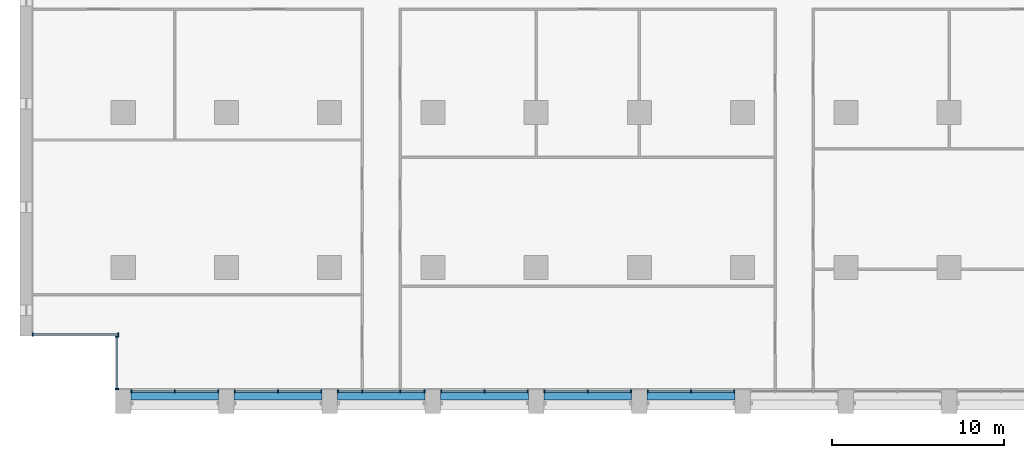
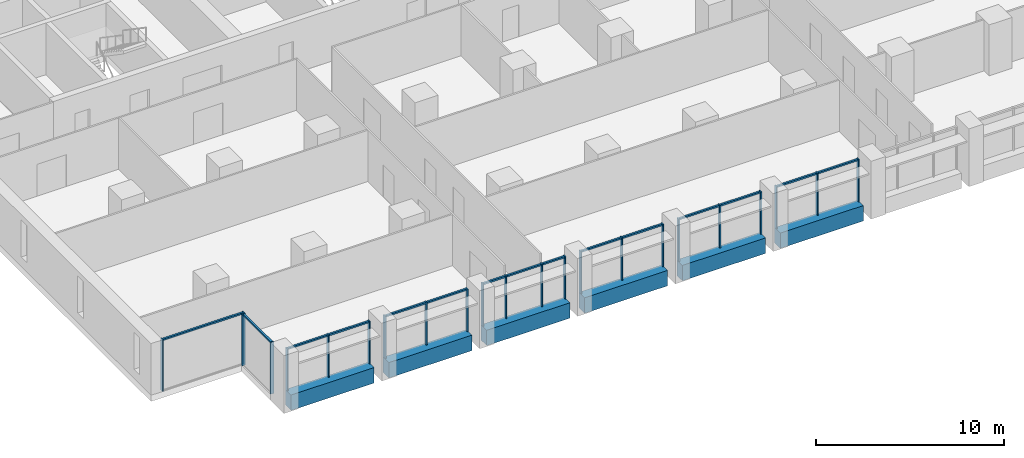
# One storey, part 2 of 17: 38 members, 6 beams, 8 elements without a shape of their own.
"""IFC4 building model written with IfcOpenShell, lengths in metres."""

import ifcopenshell
import ifcopenshell.guid

model = None  # the IFC model being written
_history = None  # IfcOwnerHistory: only IFC2X3 demands one
_inside = {}  # id of a spatial element -> (the spatial element, [elements in it])
_under = {}  # id of a project, library or spatial element -> (it, [spatial elements below it])
_declared = {}  # id of a project -> (the project, [libraries it declares])
_typed = {}  # id of a type object -> (the type object, [elements of that type])
_made_of = {}  # id of a material, layer set ... -> (it, [elements and type objects made of it])


def new_model(schema):
    """Start an empty IFC model of exactly this schema.

    Asked for "IFC4X3", IfcOpenShell would pick the latest addendum, in which some entities
    have other attributes; the version numbers below select the first issue.
    IFC2X3 requires an IfcOwnerHistory on every rooted entity: one is made here for all.
    """
    global model, _history
    if schema == "IFC4X3":
        model = ifcopenshell.file(schema_version=(4, 3, 0, 0))
    else:
        model = ifcopenshell.file(schema=schema)
    _inside.clear()
    _under.clear()
    _declared.clear()
    _typed.clear()
    _made_of.clear()
    _history = None
    if model.schema == "IFC2X3":
        org = make("IfcOrganization", Name="unknown")
        user = make(
            "IfcPersonAndOrganization",
            ThePerson=make("IfcPerson", FamilyName="unknown"),
            TheOrganization=org,
        )
        app = make(
            "IfcApplication",
            ApplicationDeveloper=org,
            Version="unknown",
            ApplicationFullName="unknown",
            ApplicationIdentifier="unknown",
        )
        _history = make(
            "IfcOwnerHistory",
            OwningUser=user,
            OwningApplication=app,
            ChangeAction="ADDED",
            CreationDate=0,
        )
    return model


def make(cls, **values):
    """One entity of the class cls with the attributes given. An attribute that is None is left unset."""
    return model.create_entity(
        cls, **{name: value for name, value in values.items() if value is not None}
    )


def rooted(cls, **values):
    """An entity with a GlobalId (a new one), such as an element, a storey or a relation."""
    return make(cls, GlobalId=ifcopenshell.guid.new(), OwnerHistory=_history, **values)


def si_unit(unit_type, name, prefix=None):
    """IfcSIUnit, for example si_unit("LENGTHUNIT", "METRE", prefix="MILLI")."""
    return make("IfcSIUnit", UnitType=unit_type, Prefix=prefix, Name=name)


def assignment(units):
    """IfcUnitAssignment: the units of a project."""
    return None if units is None else make("IfcUnitAssignment", Units=units)


def point(xyz):
    """IfcCartesianPoint."""
    return None if xyz is None else make("IfcCartesianPoint", Coordinates=xyz)


def direction(xyz):
    """IfcDirection."""
    return None if xyz is None else make("IfcDirection", DirectionRatios=xyz)


def frame(location, z_axis=None, x_axis=None):
    """IfcAxis2Placement3D, a coordinate frame: its origin and axes. An axis left out is left unset."""
    return make(
        "IfcAxis2Placement3D",
        Location=point(location),
        Axis=direction(z_axis),
        RefDirection=direction(x_axis),
    )


def frame_2d(location, x_axis=None):
    """IfcAxis2Placement2D, a coordinate frame in the plane: its origin and x axis."""
    return make(
        "IfcAxis2Placement2D", Location=point(location), RefDirection=direction(x_axis)
    )


def origin():
    """The frame at (0, 0, 0) with its axes left unset."""
    return frame((0.0, 0.0, 0.0))


def origin_2d():
    """The frame at (0, 0) in the plane with its x axis left unset."""
    return frame_2d((0.0, 0.0))


def place(relative_to, where):
    """IfcLocalPlacement: puts the frame where relative to a parent placement (None: the world)."""
    return make(
        "IfcLocalPlacement", PlacementRelTo=relative_to, RelativePlacement=where
    )


def context(
    kind, dimensions, precision=None, world=None, true_north=None, identifier=None
):
    """IfcGeometricRepresentationContext, for example the 3D "Model" context."""
    return make(
        "IfcGeometricRepresentationContext",
        ContextIdentifier=identifier,
        ContextType=kind,
        CoordinateSpaceDimension=dimensions,
        Precision=precision,
        WorldCoordinateSystem=world,
        TrueNorth=true_north,
    )


def subcontext(parent, identifier, kind, view, scale=None):
    """IfcGeometricRepresentationSubContext, for example "Body" below "Model"."""
    return make(
        "IfcGeometricRepresentationSubContext",
        ContextIdentifier=identifier,
        ContextType=kind,
        ParentContext=parent,
        TargetScale=scale,
        TargetView=view,
    )


def project(units=None, contexts=None):
    """IfcProject with its units and contexts."""
    return rooted(
        "IfcProject",
        Name="project",
        RepresentationContexts=contexts,
        UnitsInContext=assignment(units),
    )


def spatial(cls, under=None, at=None, **own):
    """A site, building, storey or space (cls), placed at a placement, below another one or the project."""
    s = rooted(cls, ObjectPlacement=at, **own)
    if under is not None:
        _under.setdefault(under.id(), (under, []))[1].append(s)
    return s


def profile(cls, at=None, kind="AREA", **sizes):
    """A parametric profile (cls). Its sizes go by their IFC names, for example OverallWidth=200.0."""
    return make(cls, ProfileType=kind, Position=at, **sizes)


def rectangle(**sizes):
    """IfcRectangleProfileDef."""
    return profile("IfcRectangleProfileDef", **sizes)


def extrude(swept, where, along, depth):
    """IfcExtrudedAreaSolid: the profile swept, set in the frame where, extruded along a direction by depth."""
    return make(
        "IfcExtrudedAreaSolid",
        SweptArea=swept,
        Position=where,
        ExtrudedDirection=direction(along),
        Depth=depth,
    )


def shape(context_of_items, identifier, shape_type, items):
    """IfcShapeRepresentation: the items that make up one representation, for example the "Body"."""
    return make(
        "IfcShapeRepresentation",
        ContextOfItems=context_of_items,
        RepresentationIdentifier=identifier,
        RepresentationType=shape_type,
        Items=items,
    )


def material(Name=None, Category=None):
    """IfcMaterial."""
    return make("IfcMaterial", Name=Name, Category=Category)


def material_profile(
    of_material, cross_section, Name=None, Category=None, Priority=None
):
    """IfcMaterialProfile: a cross section and its material."""
    return make(
        "IfcMaterialProfile",
        Name=Name,
        Material=of_material,
        Profile=cross_section,
        Priority=Priority,
        Category=Category,
    )


def profile_set(profiles, Name=None, composite=None):
    """IfcMaterialProfileSet."""
    return make(
        "IfcMaterialProfileSet",
        Name=Name,
        MaterialProfiles=profiles,
        CompositeProfile=composite,
    )


def made_of(thing, what):
    """Note that an element or type object is made of a material, layer set ...; save() writes the relation."""
    if what is not None:
        _made_of.setdefault(what.id(), (what, []))[1].append(thing)
    return thing


def type_object(cls, material=None, **own):
    """A type object (cls), such as IfcWallType, which elements share."""
    return made_of(rooted(cls, **own), material)


def element(
    cls,
    number,
    at=None,
    inside=None,
    cuts=None,
    type_object=None,
    material=None,
    context=None,
    identifier="Body",
    shape_type=None,
    held_by="IfcProductDefinitionShape",
    body=None,
    shapes=None,
    **own,
):
    """One element of the class cls, such as IfcWall. Its Tag is "e" and its number.

    at: its placement. inside: the storey or other place that contains it. cuts: it is an
    opening in that element (IfcRelVoidsElement). A single representation is given by context,
    identifier, shape_type and body (its items); several are given by shapes. held_by: the class
    of the entity that holds the representations. save() writes the other relations.
    """
    e = rooted(cls, Tag="e%d" % number, ObjectPlacement=at, **own)
    if body is not None:
        shapes = [shape(context, identifier, shape_type, body)]
    if shapes is not None:
        e.Representation = make(held_by, Representations=shapes)
    if inside is not None:
        _inside.setdefault(inside.id(), (inside, []))[1].append(e)
    if cuts is not None:
        rooted(
            "IfcRelVoidsElement", RelatingBuildingElement=cuts, RelatedOpeningElement=e
        )
    if type_object is not None:
        _typed.setdefault(type_object.id(), (type_object, []))[1].append(e)
    return made_of(e, material)


def aggregate(whole, parts):
    """IfcRelAggregates: a whole, such as a stair, and the parts it consists of."""
    return rooted("IfcRelAggregates", RelatingObject=whole, RelatedObjects=parts)


def save(model, path):
    """Write the relations noted so far, then the file.

    IfcRelAggregates (storeys below a building ...), IfcRelContainedInSpatialStructure (elements
    in a storey), IfcRelDefinesByType, IfcRelAssociatesMaterial and IfcRelDeclares: one each for
    every whole, place, type object, material and project.
    """
    for whole, parts in _under.values():
        aggregate(whole, parts)
    for where, things in _inside.values():
        rooted(
            "IfcRelContainedInSpatialStructure",
            RelatedElements=things,
            RelatingStructure=where,
        )
    for kind, things in _typed.values():
        rooted("IfcRelDefinesByType", RelatedObjects=things, RelatingType=kind)
    for what, things in _made_of.values():
        rooted("IfcRelAssociatesMaterial", RelatedObjects=things, RelatingMaterial=what)
    for by, libraries in _declared.values():
        rooted("IfcRelDeclares", RelatingContext=by, RelatedDefinitions=libraries)
    model.write(path)


model = new_model("IFC4")

# Units and contexts
model_context = context("Model", 3, precision=1e-05, world=origin(), true_north=direction((0.0, 1.0)))
body_context = subcontext(model_context, "Body", "Model", "MODEL_VIEW")
ifc_project = project(units=[si_unit("LENGTHUNIT", "METRE"), si_unit("AREAUNIT", "SQUARE_METRE"), si_unit("VOLUMEUNIT", "CUBIC_METRE"), si_unit("PLANEANGLEUNIT", "RADIAN"), si_unit("MASSUNIT", "GRAM", prefix="KILO")], contexts=[model_context])

# Site, building, storey
site_placement = place(None, origin())
site = spatial("IfcSite", under=ifc_project, at=site_placement, CompositionType="ELEMENT")
building_placement = place(site_placement, origin())
building = spatial("IfcBuilding", under=site, at=building_placement, Name="Calvaro Tower", CompositionType="ELEMENT")
storey_placement = place(building_placement, frame((0.0, 0.0, 102.5)))
storey = spatial("IfcBuildingStorey", under=building, at=storey_placement, Name="L25", CompositionType="ELEMENT", Elevation=102.5)

# Curtain wall, members
ifc_material_1 = material(Name="Anodised aluminium", Category="aluminium")
curtain_wall_type = type_object("IfcCurtainWallType", Name="Office curtain wall, middle zone", PredefinedType="NOTDEFINED", material=ifc_material_1)
curtain_wall_1_placement = place(storey_placement, origin())
curtain_wall_1 = element("IfcCurtainWall", 1, at=curtain_wall_1_placement, inside=storey, type_object=curtain_wall_type, Name="CW2 south curtain wall", PredefinedType="NOTDEFINED")
ifc_material_2 = material(Name="Anodised aluminium", Category="aluminium")
ifc_material_profile_1 = material_profile(ifc_material_2, rectangle(XDim=0.199951171875, YDim=0.070068359375, at=origin_2d()), Name="Mullion S2 70 x 200")
ifc_profile_set_1 = profile_set([ifc_material_profile_1], Name="Anodised aluminium")
member_type_1 = type_object("IfcMemberType", Name="Mullion S2 70 x 200", PredefinedType="MULLION", material=ifc_profile_set_1)
member_1_placement = place(storey_placement, frame((6.485107421875, 2.800048828125, 0.0), z_axis=(0.0, 0.0, 1.0), x_axis=(0.0, 1.0, 0.0)))
member_1 = element("IfcMember", 2, at=member_1_placement, type_object=member_type_1, Name="CW2 mullion 1", PredefinedType="MULLION", context=body_context, shape_type="SweptSolid", body=[
    extrude(rectangle(XDim=0.199951171875, YDim=0.070068359375, at=origin_2d()), origin(), (0.0, 0.0, 1.0), 2.75),
])
member_2_placement = place(storey_placement, frame((9.0, 2.800048828125, 0.0), z_axis=(0.0, 0.0, 1.0), x_axis=(0.0, 1.0, 0.0)))
member_2 = element("IfcMember", 3, at=member_2_placement, type_object=member_type_1, Name="CW2 mullion 2", PredefinedType="MULLION", context=body_context, shape_type="SweptSolid", body=[
    extrude(rectangle(XDim=0.199951171875, YDim=0.070068359375, at=origin_2d()), origin(), (0.0, 0.0, 1.0), 2.75),
])
member_3_placement = place(storey_placement, frame((11.514892578125, 2.800048828125, 0.0), z_axis=(0.0, 0.0, 1.0), x_axis=(0.0, 1.0, 0.0)))
member_3 = element("IfcMember", 4, at=member_3_placement, type_object=member_type_1, Name="CW2 mullion 3", PredefinedType="MULLION", context=body_context, shape_type="SweptSolid", body=[
    extrude(rectangle(XDim=0.199951171875, YDim=0.070068359375, at=origin_2d()), origin(), (0.0, 0.0, 1.0), 2.75),
])

curtain_wall_2_placement = place(storey_placement, origin())
curtain_wall_2 = element("IfcCurtainWall", 5, at=curtain_wall_2_placement, inside=storey, type_object=curtain_wall_type, Name="CW2 south curtain wall", PredefinedType="NOTDEFINED")
member_4_placement = place(storey_placement, frame((12.485107421875, 2.800048828125, 0.0), z_axis=(0.0, 0.0, 1.0), x_axis=(0.0, 1.0, 0.0)))
member_4 = element("IfcMember", 6, at=member_4_placement, type_object=member_type_1, Name="CW2 mullion 1", PredefinedType="MULLION", context=body_context, shape_type="SweptSolid", body=[
    extrude(rectangle(XDim=0.199951171875, YDim=0.070068359375, at=origin_2d()), origin(), (0.0, 0.0, 1.0), 2.75),
])
member_5_placement = place(storey_placement, frame((15.0, 2.800048828125, 0.0), z_axis=(0.0, 0.0, 1.0), x_axis=(0.0, 1.0, 0.0)))
member_5 = element("IfcMember", 7, at=member_5_placement, type_object=member_type_1, Name="CW2 mullion 2", PredefinedType="MULLION", context=body_context, shape_type="SweptSolid", body=[
    extrude(rectangle(XDim=0.199951171875, YDim=0.070068359375, at=origin_2d()), origin(), (0.0, 0.0, 1.0), 2.75),
])
member_6_placement = place(storey_placement, frame((17.514892578125, 2.800048828125, 0.0), z_axis=(0.0, 0.0, 1.0), x_axis=(0.0, 1.0, 0.0)))
member_6 = element("IfcMember", 8, at=member_6_placement, type_object=member_type_1, Name="CW2 mullion 3", PredefinedType="MULLION", context=body_context, shape_type="SweptSolid", body=[
    extrude(rectangle(XDim=0.199951171875, YDim=0.070068359375, at=origin_2d()), origin(), (0.0, 0.0, 1.0), 2.75),
])

curtain_wall_3_placement = place(storey_placement, origin())
curtain_wall_3 = element("IfcCurtainWall", 9, at=curtain_wall_3_placement, inside=storey, type_object=curtain_wall_type, Name="CW2 south curtain wall", PredefinedType="NOTDEFINED")
member_7_placement = place(storey_placement, frame((18.485107421875, 2.800048828125, 0.0), z_axis=(0.0, 0.0, 1.0), x_axis=(0.0, 1.0, 0.0)))
member_7 = element("IfcMember", 10, at=member_7_placement, type_object=member_type_1, Name="CW2 mullion 1", PredefinedType="MULLION", context=body_context, shape_type="SweptSolid", body=[
    extrude(rectangle(XDim=0.199951171875, YDim=0.070068359375, at=origin_2d()), origin(), (0.0, 0.0, 1.0), 2.75),
])
member_8_placement = place(storey_placement, frame((19.89990234375, 2.800048828125, 0.0), z_axis=(0.0, 0.0, 1.0), x_axis=(0.0, 1.0, 0.0)))
member_8 = element("IfcMember", 11, at=member_8_placement, type_object=member_type_1, Name="CW2 mullion 2", PredefinedType="MULLION", context=body_context, shape_type="SweptSolid", body=[
    extrude(rectangle(XDim=0.199951171875, YDim=0.070068359375, at=origin_2d()), origin(), (0.0, 0.0, 1.0), 2.75),
])
member_9_placement = place(storey_placement, frame((22.10009765625, 2.800048828125, 0.0), z_axis=(0.0, 0.0, 1.0), x_axis=(0.0, 1.0, 0.0)))
member_9 = element("IfcMember", 12, at=member_9_placement, type_object=member_type_1, Name="CW2 mullion 3", PredefinedType="MULLION", context=body_context, shape_type="SweptSolid", body=[
    extrude(rectangle(XDim=0.199951171875, YDim=0.070068359375, at=origin_2d()), origin(), (0.0, 0.0, 1.0), 2.75),
])
member_10_placement = place(storey_placement, frame((23.514892578125, 2.800048828125, 0.0), z_axis=(0.0, 0.0, 1.0), x_axis=(0.0, 1.0, 0.0)))
member_10 = element("IfcMember", 13, at=member_10_placement, type_object=member_type_1, Name="CW2 mullion 4", PredefinedType="MULLION", context=body_context, shape_type="SweptSolid", body=[
    extrude(rectangle(XDim=0.199951171875, YDim=0.070068359375, at=origin_2d()), origin(), (0.0, 0.0, 1.0), 2.75),
])

curtain_wall_4_placement = place(storey_placement, origin())
curtain_wall_4 = element("IfcCurtainWall", 14, at=curtain_wall_4_placement, inside=storey, type_object=curtain_wall_type, Name="CW2 south curtain wall", PredefinedType="NOTDEFINED")
member_11_placement = place(storey_placement, frame((24.485107421875, 2.800048828125, 0.0), z_axis=(0.0, 0.0, 1.0), x_axis=(0.0, 1.0, 0.0)))
member_11 = element("IfcMember", 15, at=member_11_placement, type_object=member_type_1, Name="CW2 mullion 1", PredefinedType="MULLION", context=body_context, shape_type="SweptSolid", body=[
    extrude(rectangle(XDim=0.199951171875, YDim=0.070068359375, at=origin_2d()), origin(), (0.0, 0.0, 1.0), 2.75),
])
member_12_placement = place(storey_placement, frame((27.0, 2.800048828125, 0.0), z_axis=(0.0, 0.0, 1.0), x_axis=(0.0, 1.0, 0.0)))
member_12 = element("IfcMember", 16, at=member_12_placement, type_object=member_type_1, Name="CW2 mullion 2", PredefinedType="MULLION", context=body_context, shape_type="SweptSolid", body=[
    extrude(rectangle(XDim=0.199951171875, YDim=0.070068359375, at=origin_2d()), origin(), (0.0, 0.0, 1.0), 2.75),
])
member_13_placement = place(storey_placement, frame((29.514892578125, 2.800048828125, 0.0), z_axis=(0.0, 0.0, 1.0), x_axis=(0.0, 1.0, 0.0)))
member_13 = element("IfcMember", 17, at=member_13_placement, type_object=member_type_1, Name="CW2 mullion 3", PredefinedType="MULLION", context=body_context, shape_type="SweptSolid", body=[
    extrude(rectangle(XDim=0.199951171875, YDim=0.070068359375, at=origin_2d()), origin(), (0.0, 0.0, 1.0), 2.75),
])

curtain_wall_5_placement = place(storey_placement, origin())
curtain_wall_5 = element("IfcCurtainWall", 18, at=curtain_wall_5_placement, inside=storey, type_object=curtain_wall_type, Name="CW2 south curtain wall", PredefinedType="NOTDEFINED")
member_14_placement = place(storey_placement, frame((30.485107421875, 2.800048828125, 0.0), z_axis=(0.0, 0.0, 1.0), x_axis=(0.0, 1.0, 0.0)))
member_14 = element("IfcMember", 19, at=member_14_placement, type_object=member_type_1, Name="CW2 mullion 1", PredefinedType="MULLION", context=body_context, shape_type="SweptSolid", body=[
    extrude(rectangle(XDim=0.199951171875, YDim=0.070068359375, at=origin_2d()), origin(), (0.0, 0.0, 1.0), 2.75),
])
member_15_placement = place(storey_placement, frame((33.0, 2.800048828125, 0.0), z_axis=(0.0, 0.0, 1.0), x_axis=(0.0, 1.0, 0.0)))
member_15 = element("IfcMember", 20, at=member_15_placement, type_object=member_type_1, Name="CW2 mullion 2", PredefinedType="MULLION", context=body_context, shape_type="SweptSolid", body=[
    extrude(rectangle(XDim=0.199951171875, YDim=0.070068359375, at=origin_2d()), origin(), (0.0, 0.0, 1.0), 2.75),
])
member_16_placement = place(storey_placement, frame((35.514892578125, 2.800048828125, 0.0), z_axis=(0.0, 0.0, 1.0), x_axis=(0.0, 1.0, 0.0)))
member_16 = element("IfcMember", 21, at=member_16_placement, type_object=member_type_1, Name="CW2 mullion 3", PredefinedType="MULLION", context=body_context, shape_type="SweptSolid", body=[
    extrude(rectangle(XDim=0.199951171875, YDim=0.070068359375, at=origin_2d()), origin(), (0.0, 0.0, 1.0), 2.75),
])

curtain_wall_6_placement = place(storey_placement, origin())
curtain_wall_6 = element("IfcCurtainWall", 22, at=curtain_wall_6_placement, inside=storey, type_object=curtain_wall_type, Name="CW2 south curtain wall", PredefinedType="NOTDEFINED")
member_17_placement = place(storey_placement, frame((36.485107421875, 2.800048828125, 0.0), z_axis=(0.0, 0.0, 1.0), x_axis=(0.0, 1.0, 0.0)))
member_17 = element("IfcMember", 23, at=member_17_placement, type_object=member_type_1, Name="CW2 mullion 1", PredefinedType="MULLION", context=body_context, shape_type="SweptSolid", body=[
    extrude(rectangle(XDim=0.199951171875, YDim=0.070068359375, at=origin_2d()), origin(), (0.0, 0.0, 1.0), 2.75),
])
member_18_placement = place(storey_placement, frame((39.0, 2.800048828125, 0.0), z_axis=(0.0, 0.0, 1.0), x_axis=(0.0, 1.0, 0.0)))
member_18 = element("IfcMember", 24, at=member_18_placement, type_object=member_type_1, Name="CW2 mullion 2", PredefinedType="MULLION", context=body_context, shape_type="SweptSolid", body=[
    extrude(rectangle(XDim=0.199951171875, YDim=0.070068359375, at=origin_2d()), origin(), (0.0, 0.0, 1.0), 2.75),
])
member_19_placement = place(storey_placement, frame((41.514892578125, 2.800048828125, 0.0), z_axis=(0.0, 0.0, 1.0), x_axis=(0.0, 1.0, 0.0)))
member_19 = element("IfcMember", 25, at=member_19_placement, type_object=member_type_1, Name="CW2 mullion 3", PredefinedType="MULLION", context=body_context, shape_type="SweptSolid", body=[
    extrude(rectangle(XDim=0.199951171875, YDim=0.070068359375, at=origin_2d()), origin(), (0.0, 0.0, 1.0), 2.75),
])

curtain_wall_7_placement = place(storey_placement, origin())
curtain_wall_7 = element("IfcCurtainWall", 26, at=curtain_wall_7_placement, inside=storey, type_object=curtain_wall_type, Name="CW2 corner curtain wall", PredefinedType="NOTDEFINED")
member_20_placement = place(storey_placement, frame((5.64990234375, 2.93505859375, 0.0), z_axis=(0.0, 0.0, 1.0), x_axis=(-1.0, 0.0, 0.0)))
member_20 = element("IfcMember", 27, at=member_20_placement, type_object=member_type_1, Name="CW2 mullion 1", PredefinedType="MULLION", context=body_context, shape_type="SweptSolid", body=[
    extrude(rectangle(XDim=0.199951171875, YDim=0.070068359375, at=origin_2d()), origin(), (0.0, 0.0, 1.0), 3.35009765625),
])
member_21_placement = place(storey_placement, frame((5.64990234375, 5.965087890625, 0.0), z_axis=(0.0, 0.0, 1.0), x_axis=(-1.0, 0.0, 0.0)))
member_21 = element("IfcMember", 28, at=member_21_placement, type_object=member_type_1, Name="CW2 mullion 2", PredefinedType="MULLION", context=body_context, shape_type="SweptSolid", body=[
    extrude(rectangle(XDim=0.199951171875, YDim=0.070068359375, at=origin_2d()), origin(), (0.0, 0.0, 1.0), 3.35009765625),
])

curtain_wall_8_placement = place(storey_placement, origin())
curtain_wall_8 = element("IfcCurtainWall", 29, at=curtain_wall_8_placement, inside=storey, type_object=curtain_wall_type, Name="CW2 corner curtain wall", PredefinedType="NOTDEFINED")
member_22_placement = place(storey_placement, frame((0.735107421875, 6.10009765625, 0.0), z_axis=(0.0, 0.0, 1.0), x_axis=(0.0, 1.0, 0.0)))
member_22 = element("IfcMember", 30, at=member_22_placement, type_object=member_type_1, Name="CW2 mullion 1", PredefinedType="MULLION", context=body_context, shape_type="SweptSolid", body=[
    extrude(rectangle(XDim=0.199951171875, YDim=0.070068359375, at=origin_2d()), origin(), (0.0, 0.0, 1.0), 3.35009765625),
])
member_23_placement = place(storey_placement, frame((5.715087890625, 6.10009765625, 0.0), z_axis=(0.0, 0.0, 1.0), x_axis=(0.0, 1.0, 0.0)))
member_23 = element("IfcMember", 31, at=member_23_placement, type_object=member_type_1, Name="CW2 mullion 2", PredefinedType="MULLION", context=body_context, shape_type="SweptSolid", body=[
    extrude(rectangle(XDim=0.199951171875, YDim=0.070068359375, at=origin_2d()), origin(), (0.0, 0.0, 1.0), 3.35009765625),
])

# Beams
ifc_material_3 = material(Name="Concrete C50/60 precast", Category="concrete")
ifc_material_profile_2 = material_profile(ifc_material_3, rectangle(XDim=0.60009765625, YDim=1.0, at=origin_2d()), Name="RC 600x1000")
ifc_profile_set_2 = profile_set([ifc_material_profile_2], Name="Concrete C50/60 precast")
beam_type = type_object("IfcBeamType", Name="Spandrel beam 600x1000 C50/60", PredefinedType="SPANDREL", material=ifc_profile_set_2)
for number, where, z_axis, x_axis, name in (
    (32, (6.449951171875, 2.60009765625, -0.5), (1.0, 0.0, 0.0), (0.0, 1.0, 0.0), "Spandrel beam"),
    (33, (12.449951171875, 2.60009765625, -0.5), (1.0, 0.0, 0.0), (0.0, 1.0, 0.0), "Spandrel beam"),
    (34, (18.449951171875, 2.60009765625, -0.5), (1.0, 0.0, 0.0), (0.0, 1.0, 0.0), "Spandrel beam"),
    (35, (24.449951171875, 2.60009765625, -0.5), (1.0, 0.0, 0.0), (0.0, 1.0, 0.0), "Spandrel beam"),
    (36, (30.449951171875, 2.60009765625, -0.5), (1.0, 0.0, 0.0), (0.0, 1.0, 0.0), "Spandrel beam"),
    (37, (36.449951171875, 2.60009765625, -0.5), (1.0, 0.0, 0.0), (0.0, 1.0, 0.0), "Spandrel beam"),
):
    element("IfcBeam", number, at=place(storey_placement, frame(where, z_axis=z_axis, x_axis=x_axis)), inside=storey, type_object=beam_type, Name=name, PredefinedType="SPANDREL", context=body_context, shape_type="SweptSolid", body=[
        extrude(rectangle(XDim=0.60009765625, YDim=1.0, at=origin_2d()), origin(), (0.0, 0.0, 1.0), 5.10009765625),
    ])

# Member
ifc_material_4 = material(Name="Anodised aluminium", Category="aluminium")
ifc_material_profile_3 = material_profile(ifc_material_4, rectangle(XDim=0.1201171875, YDim=0.10009765625, at=origin_2d()), Name="Transom S2 100 x 120")
ifc_profile_set_3 = profile_set([ifc_material_profile_3], Name="Anodised aluminium")
member_type_2 = type_object("IfcMemberType", Name="Transom S2 100 x 120", PredefinedType="USERDEFINED", material=ifc_profile_set_3)
member_24_placement = place(storey_placement, frame((6.52001953125, 2.800048828125, 2.699951171875), z_axis=(1.0, 0.0, 0.0), x_axis=(0.0, 1.0, 0.0)))
member_24 = element("IfcMember", 38, at=member_24_placement, type_object=member_type_2, Name="CW2 transom 1.1", ObjectType="TRANSOM", PredefinedType="USERDEFINED", context=body_context, shape_type="SweptSolid", body=[
    extrude(rectangle(XDim=0.1201171875, YDim=0.10009765625, at=origin_2d()), origin(), (0.0, 0.0, 1.0), 2.445068359375),
])

member_25_placement = place(storey_placement, frame((9.034912109375, 2.800048828125, 2.699951171875), z_axis=(1.0, 0.0, 0.0), x_axis=(0.0, 1.0, 0.0)))
member_25 = element("IfcMember", 39, at=member_25_placement, type_object=member_type_2, Name="CW2 transom 2.1", ObjectType="TRANSOM", PredefinedType="USERDEFINED", context=body_context, shape_type="SweptSolid", body=[
    extrude(rectangle(XDim=0.1201171875, YDim=0.10009765625, at=origin_2d()), origin(), (0.0, 0.0, 1.0), 2.445068359375),
])

aggregate(curtain_wall_1, [member_1, member_2, member_3, member_24, member_25])

member_26_placement = place(storey_placement, frame((12.52001953125, 2.800048828125, 2.699951171875), z_axis=(1.0, 0.0, 0.0), x_axis=(0.0, 1.0, 0.0)))
member_26 = element("IfcMember", 40, at=member_26_placement, type_object=member_type_2, Name="CW2 transom 1.1", ObjectType="TRANSOM", PredefinedType="USERDEFINED", context=body_context, shape_type="SweptSolid", body=[
    extrude(rectangle(XDim=0.1201171875, YDim=0.10009765625, at=origin_2d()), origin(), (0.0, 0.0, 1.0), 2.445068359375),
])

member_27_placement = place(storey_placement, frame((15.034912109375, 2.800048828125, 2.699951171875), z_axis=(1.0, 0.0, 0.0), x_axis=(0.0, 1.0, 0.0)))
member_27 = element("IfcMember", 41, at=member_27_placement, type_object=member_type_2, Name="CW2 transom 2.1", ObjectType="TRANSOM", PredefinedType="USERDEFINED", context=body_context, shape_type="SweptSolid", body=[
    extrude(rectangle(XDim=0.1201171875, YDim=0.10009765625, at=origin_2d()), origin(), (0.0, 0.0, 1.0), 2.445068359375),
])

aggregate(curtain_wall_2, [member_4, member_5, member_6, member_26, member_27])

member_28_placement = place(storey_placement, frame((18.52001953125, 2.800048828125, 2.699951171875), z_axis=(1.0, 0.0, 0.0), x_axis=(0.0, 1.0, 0.0)))
member_28 = element("IfcMember", 42, at=member_28_placement, type_object=member_type_2, Name="CW2 transom 1.1", ObjectType="TRANSOM", PredefinedType="USERDEFINED", context=body_context, shape_type="SweptSolid", body=[
    extrude(rectangle(XDim=0.1201171875, YDim=0.10009765625, at=origin_2d()), origin(), (0.0, 0.0, 1.0), 1.344970703125),
])

member_29_placement = place(storey_placement, frame((19.93505859375, 2.800048828125, 2.699951171875), z_axis=(1.0, 0.0, 0.0), x_axis=(0.0, 1.0, 0.0)))
member_29 = element("IfcMember", 43, at=member_29_placement, type_object=member_type_2, Name="CW2 transom 2.1", ObjectType="TRANSOM", PredefinedType="USERDEFINED", context=body_context, shape_type="SweptSolid", body=[
    extrude(rectangle(XDim=0.1201171875, YDim=0.10009765625, at=origin_2d()), origin(), (0.0, 0.0, 1.0), 2.1298828125),
])

member_30_placement = place(storey_placement, frame((22.135009765625, 2.800048828125, 2.699951171875), z_axis=(1.0, 0.0, 0.0), x_axis=(0.0, 1.0, 0.0)))
member_30 = element("IfcMember", 44, at=member_30_placement, type_object=member_type_2, Name="CW2 transom 3.1", ObjectType="TRANSOM", PredefinedType="USERDEFINED", context=body_context, shape_type="SweptSolid", body=[
    extrude(rectangle(XDim=0.1201171875, YDim=0.10009765625, at=origin_2d()), origin(), (0.0, 0.0, 1.0), 1.344970703125),
])

aggregate(curtain_wall_3, [member_7, member_8, member_9, member_10, member_28, member_29, member_30])

member_31_placement = place(storey_placement, frame((24.52001953125, 2.800048828125, 2.699951171875), z_axis=(1.0, 0.0, 0.0), x_axis=(0.0, 1.0, 0.0)))
member_31 = element("IfcMember", 45, at=member_31_placement, type_object=member_type_2, Name="CW2 transom 1.1", ObjectType="TRANSOM", PredefinedType="USERDEFINED", context=body_context, shape_type="SweptSolid", body=[
    extrude(rectangle(XDim=0.1201171875, YDim=0.10009765625, at=origin_2d()), origin(), (0.0, 0.0, 1.0), 2.445068359375),
])

member_32_placement = place(storey_placement, frame((27.034912109375, 2.800048828125, 2.699951171875), z_axis=(1.0, 0.0, 0.0), x_axis=(0.0, 1.0, 0.0)))
member_32 = element("IfcMember", 46, at=member_32_placement, type_object=member_type_2, Name="CW2 transom 2.1", ObjectType="TRANSOM", PredefinedType="USERDEFINED", context=body_context, shape_type="SweptSolid", body=[
    extrude(rectangle(XDim=0.1201171875, YDim=0.10009765625, at=origin_2d()), origin(), (0.0, 0.0, 1.0), 2.445068359375),
])

aggregate(curtain_wall_4, [member_11, member_12, member_13, member_31, member_32])

member_33_placement = place(storey_placement, frame((30.52001953125, 2.800048828125, 2.699951171875), z_axis=(1.0, 0.0, 0.0), x_axis=(0.0, 1.0, 0.0)))
member_33 = element("IfcMember", 47, at=member_33_placement, type_object=member_type_2, Name="CW2 transom 1.1", ObjectType="TRANSOM", PredefinedType="USERDEFINED", context=body_context, shape_type="SweptSolid", body=[
    extrude(rectangle(XDim=0.1201171875, YDim=0.10009765625, at=origin_2d()), origin(), (0.0, 0.0, 1.0), 2.445068359375),
])

member_34_placement = place(storey_placement, frame((33.034912109375, 2.800048828125, 2.699951171875), z_axis=(1.0, 0.0, 0.0), x_axis=(0.0, 1.0, 0.0)))
member_34 = element("IfcMember", 48, at=member_34_placement, type_object=member_type_2, Name="CW2 transom 2.1", ObjectType="TRANSOM", PredefinedType="USERDEFINED", context=body_context, shape_type="SweptSolid", body=[
    extrude(rectangle(XDim=0.1201171875, YDim=0.10009765625, at=origin_2d()), origin(), (0.0, 0.0, 1.0), 2.445068359375),
])

aggregate(curtain_wall_5, [member_14, member_15, member_16, member_33, member_34])

member_35_placement = place(storey_placement, frame((36.52001953125, 2.800048828125, 2.699951171875), z_axis=(1.0, 0.0, 0.0), x_axis=(0.0, 1.0, 0.0)))
member_35 = element("IfcMember", 49, at=member_35_placement, type_object=member_type_2, Name="CW2 transom 1.1", ObjectType="TRANSOM", PredefinedType="USERDEFINED", context=body_context, shape_type="SweptSolid", body=[
    extrude(rectangle(XDim=0.1201171875, YDim=0.10009765625, at=origin_2d()), origin(), (0.0, 0.0, 1.0), 2.445068359375),
])

member_36_placement = place(storey_placement, frame((39.034912109375, 2.800048828125, 2.699951171875), z_axis=(1.0, 0.0, 0.0), x_axis=(0.0, 1.0, 0.0)))
member_36 = element("IfcMember", 50, at=member_36_placement, type_object=member_type_2, Name="CW2 transom 2.1", ObjectType="TRANSOM", PredefinedType="USERDEFINED", context=body_context, shape_type="SweptSolid", body=[
    extrude(rectangle(XDim=0.1201171875, YDim=0.10009765625, at=origin_2d()), origin(), (0.0, 0.0, 1.0), 2.445068359375),
])

aggregate(curtain_wall_6, [member_17, member_18, member_19, member_35, member_36])

member_37_placement = place(storey_placement, frame((5.64990234375, 2.969970703125, 3.300048828125), z_axis=(0.0, 1.0, 0.0), x_axis=(-1.0, 0.0, 0.0)))
member_37 = element("IfcMember", 51, at=member_37_placement, type_object=member_type_2, Name="CW2 transom 1.1", ObjectType="TRANSOM", PredefinedType="USERDEFINED", context=body_context, shape_type="SweptSolid", body=[
    extrude(rectangle(XDim=0.1201171875, YDim=0.10009765625, at=origin_2d()), origin(), (0.0, 0.0, 1.0), 2.9599609375),
])

aggregate(curtain_wall_7, [member_20, member_21, member_37])

member_38_placement = place(storey_placement, frame((0.77001953125, 6.10009765625, 3.300048828125), z_axis=(1.0, 0.0, 0.0), x_axis=(0.0, 1.0, 0.0)))
member_38 = element("IfcMember", 52, at=member_38_placement, type_object=member_type_2, Name="CW2 transom 1.1", ObjectType="TRANSOM", PredefinedType="USERDEFINED", context=body_context, shape_type="SweptSolid", body=[
    extrude(rectangle(XDim=0.1201171875, YDim=0.10009765625, at=origin_2d()), origin(), (0.0, 0.0, 1.0), 4.909912109375),
])

aggregate(curtain_wall_8, [member_22, member_23, member_38])

save(model, "model.ifc")
